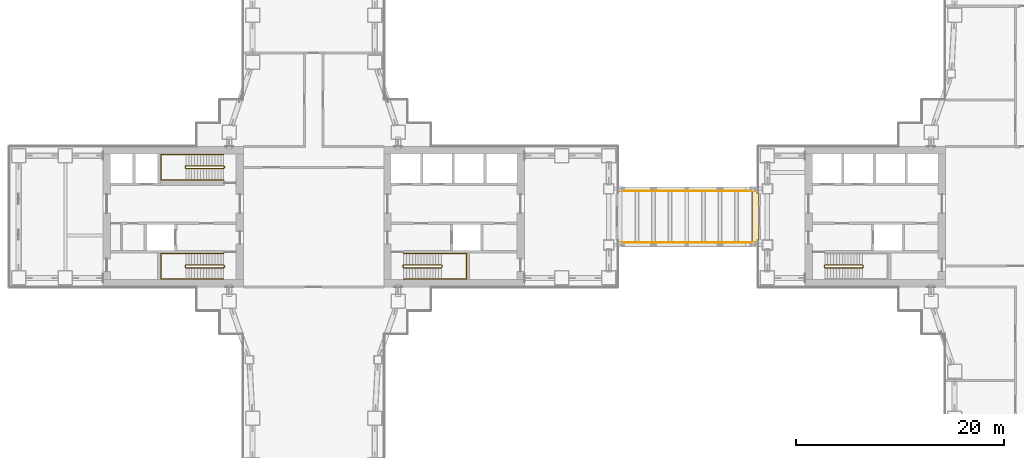
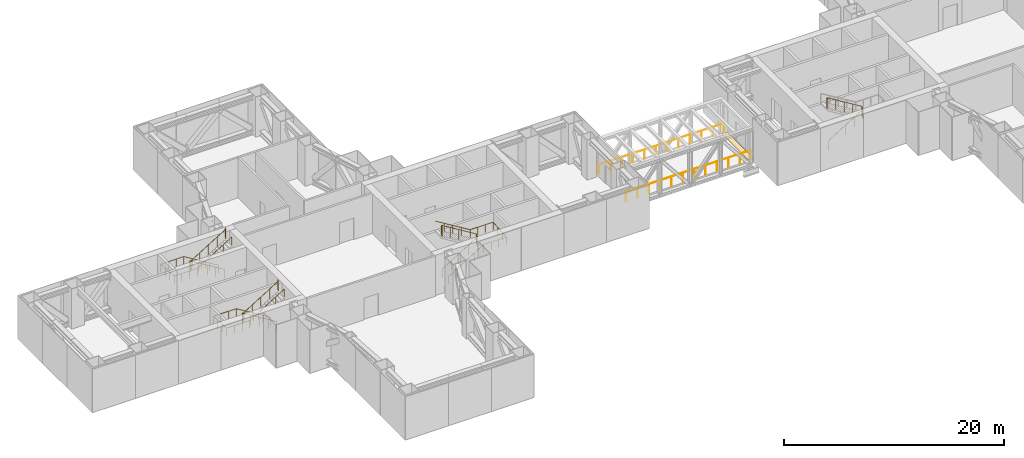
# One storey, part 22 of 23: 9 railings, 1 covering.
"""IFC4 building model written with IfcOpenShell, lengths in metres."""

from ifc_helpers import new_model, si_unit, direction, frame, origin, origin_2d, place, context, subcontext, project, spatial, polyline, circle, outline, extrude, material, layer, layer_set, type_object, element, save


model = new_model("IFC4")

# Units and contexts
model_context = context("Model", 3, precision=1e-05, world=origin(), true_north=direction((0.0, 1.0)))
body_context = subcontext(model_context, "Body", "Model", "MODEL_VIEW")
ifc_project = project(units=[si_unit("LENGTHUNIT", "METRE"), si_unit("AREAUNIT", "SQUARE_METRE"), si_unit("VOLUMEUNIT", "CUBIC_METRE"), si_unit("PLANEANGLEUNIT", "RADIAN"), si_unit("MASSUNIT", "GRAM", prefix="KILO")], contexts=[model_context])

# Site, building, storey
site_placement = place(None, origin())
site = spatial("IfcSite", under=ifc_project, at=site_placement, CompositionType="ELEMENT")
building_placement = place(site_placement, origin())
building = spatial("IfcBuilding", under=site, at=building_placement, Name="Shamsa Quay Exchange Towers", CompositionType="ELEMENT")
storey_placement = place(building_placement, frame((0.0, 0.0, 77.10009765625)))
storey = spatial("IfcBuildingStorey", under=building, at=storey_placement, Name="L17", CompositionType="ELEMENT", Elevation=77.10009765625)

# Railings
ifc_material_1 = material(Name="Steel S355", Category="steel")
railing_type_1 = type_object("IfcRailingType", Name="SKYBRIDGE GUARD 1100", PredefinedType="GUARDRAIL", material=ifc_material_1)
for number, where, name in (
    (1, (-4.449951171875, -2.463623046875, 0.0), "Skybridge guard BR1 S"),
    (2, (-4.449951171875, 2.463623046875, 0.0), "Skybridge guard BR1 N"),
):
    element("IfcRailing", number, at=place(storey_placement, frame(where)), inside=storey, type_object=railing_type_1, Name=name, PredefinedType="GUARDRAIL", context=body_context, shape_type="SweptSolid", body=[
        extrude(circle(Radius=0.02392578125, at=origin_2d()), frame((0.0, 0.0, 1.076171875), z_axis=(1.0, 0.0, 0.0), x_axis=(0.0, 1.0, 0.0)), (0.0, 0.0, 1.0), 13.14990234375),
        extrude(circle(Radius=0.02099609375, at=origin_2d()), origin(), (0.0, 0.0, 1.0), 1.052001953125),
        extrude(circle(Radius=0.02099609375, at=origin_2d()), frame((1.195556640625, 0.0, 0.0)), (0.0, 0.0, 1.0), 1.052001953125),
        extrude(circle(Radius=0.02099609375, at=origin_2d()), frame((2.390869140625, 0.0, 0.0)), (0.0, 0.0, 1.0), 1.052001953125),
        extrude(circle(Radius=0.02099609375, at=origin_2d()), frame((3.58642578125, 0.0, 0.0)), (0.0, 0.0, 1.0), 1.052001953125),
        extrude(circle(Radius=0.02099609375, at=origin_2d()), frame((4.78173828125, 0.0, 0.0)), (0.0, 0.0, 1.0), 1.052001953125),
        extrude(circle(Radius=0.02099609375, at=origin_2d()), frame((5.977294921875, 0.0, 0.0)), (0.0, 0.0, 1.0), 1.052001953125),
        extrude(circle(Radius=0.02099609375, at=origin_2d()), frame((7.172607421875, 0.0, 0.0)), (0.0, 0.0, 1.0), 1.052001953125),
        extrude(circle(Radius=0.02099609375, at=origin_2d()), frame((8.3681640625, 0.0, 0.0)), (0.0, 0.0, 1.0), 1.052001953125),
        extrude(circle(Radius=0.02099609375, at=origin_2d()), frame((9.5634765625, 0.0, 0.0)), (0.0, 0.0, 1.0), 1.052001953125),
        extrude(circle(Radius=0.02099609375, at=origin_2d()), frame((10.759033203125, 0.0, 0.0)), (0.0, 0.0, 1.0), 1.052001953125),
        extrude(circle(Radius=0.02099609375, at=origin_2d()), frame((11.954345703125, 0.0, 0.0)), (0.0, 0.0, 1.0), 1.052001953125),
        extrude(circle(Radius=0.02099609375, at=origin_2d()), frame((13.14990234375, 0.0, 0.0)), (0.0, 0.0, 1.0), 1.052001953125),
    ])
ifc_material_2 = material(Name="Stainless steel", Category="steel")
railing_type_2 = type_object("IfcRailingType", Name="STAIR GUARD 1100", PredefinedType="GUARDRAIL", material=ifc_material_2)
railing_1_placement = place(storey_placement, frame((-25.10009765625, -4.89990234375, 0.17138671875)))
element("IfcRailing", 3, at=railing_1_placement, inside=storey, type_object=railing_type_2, Name="L17 ST1 stair guard 1", PredefinedType="GUARDRAIL", context=body_context, shape_type="SweptSolid", body=[
    extrude(circle(Radius=0.02392578125, at=origin_2d()), frame((0.0, 0.0, 1.076171875), z_axis=(0.852865859571, 0.0, 0.52213008492), x_axis=(0.0, 1.0, 0.0)), (0.0, 0.0, 1.0), 4.26806640625),
    extrude(circle(Radius=0.02392578125, at=origin_2d()), frame((3.64013671875, 0.0, 3.3046875), z_axis=(0.708833529934, 0.705375805398, 0.0), x_axis=(-0.705375805398, 0.708833529934, 0.0)), (0.0, 0.0, 1.0), 0.070556640625),
    extrude(circle(Radius=0.02392578125, at=origin_2d()), frame((3.690185546875, 0.0498046875, 3.3046875), z_axis=(0.0, 1.0, 0.0), x_axis=(-1.0, 0.0, 0.0)), (0.0, 0.0, 1.0), 0.150146484375),
    extrude(circle(Radius=0.02392578125, at=origin_2d()), frame((3.690185546875, 0.199951171875, 3.3046875), z_axis=(-0.269911200495, 0.269911200495, 0.924281281696), x_axis=(-0.707106781187, -0.707106781187, 0.0)), (0.0, 0.0, 1.0), 0.185546875),
    extrude(circle(Radius=0.02392578125, at=origin_2d()), frame((3.64013671875, 0.25, 3.47607421875), z_axis=(-0.852865859571, 0.0, 0.52213008492), x_axis=(0.0, -1.0, 0.0)), (0.0, 0.0, 1.0), 4.26806640625),
    extrude(circle(Radius=0.02392578125, at=origin_2d()), frame((0.0, 0.25, 5.70458984375), z_axis=(-0.24142163986, -0.970420317083, 0.0), x_axis=(0.970420317083, -0.24142163986, 0.0)), (0.0, 0.0, 1.0), 0.206298828125),
    extrude(circle(Radius=0.02392578125, at=origin_2d()), frame((-0.0498046875, 0.0498046875, 5.70458984375), z_axis=(0.0, 1.0, 0.0), x_axis=(-1.0, 0.0, 0.0)), (0.0, 0.0, 1.0), 0.150146484375),
    extrude(circle(Radius=0.02099609375, at=origin_2d()), origin(), (0.0, 0.0, 1.0), 1.052001953125),
    extrude(circle(Radius=0.02099609375, at=origin_2d()), frame((0.91015625, 0.0, 0.55712890625)), (0.0, 0.0, 1.0), 1.052001953125),
    extrude(circle(Radius=0.02099609375, at=origin_2d()), frame((1.820068359375, 0.0, 1.1142578125)), (0.0, 0.0, 1.0), 1.052001953125),
    extrude(circle(Radius=0.02099609375, at=origin_2d()), frame((2.72998046875, 0.0, 1.67138671875)), (0.0, 0.0, 1.0), 1.052001953125),
    extrude(circle(Radius=0.02099609375, at=origin_2d()), frame((3.64013671875, 0.0, 2.228515625)), (0.0, 0.0, 1.0), 1.052001953125),
    extrude(circle(Radius=0.02099609375, at=origin_2d()), frame((3.690185546875, 0.0498046875, 2.228515625)), (0.0, 0.0, 1.0), 1.052001953125),
    extrude(circle(Radius=0.02099609375, at=origin_2d()), frame((3.690185546875, 0.199951171875, 2.228515625)), (0.0, 0.0, 1.0), 1.052001953125),
    extrude(circle(Radius=0.02099609375, at=origin_2d()), frame((3.64013671875, 0.25, 2.39990234375)), (0.0, 0.0, 1.0), 1.052001953125),
    extrude(circle(Radius=0.02099609375, at=origin_2d()), frame((2.72998046875, 0.25, 2.95703125)), (0.0, 0.0, 1.0), 1.052001953125),
    extrude(circle(Radius=0.02099609375, at=origin_2d()), frame((1.820068359375, 0.25, 3.51416015625)), (0.0, 0.0, 1.0), 1.052001953125),
    extrude(circle(Radius=0.02099609375, at=origin_2d()), frame((0.91015625, 0.25, 4.0712890625)), (0.0, 0.0, 1.0), 1.052001953125),
    extrude(circle(Radius=0.02099609375, at=origin_2d()), frame((0.0, 0.25, 4.62841796875)), (0.0, 0.0, 1.0), 1.052001953125),
    extrude(circle(Radius=0.02099609375, at=origin_2d()), frame((-0.0498046875, 0.0498046875, 4.62841796875)), (0.0, 0.0, 1.0), 1.052001953125),
    extrude(circle(Radius=0.02099609375, at=origin_2d()), frame((-0.0498046875, 0.199951171875, 4.62841796875)), (0.0, 0.0, 1.0), 1.052001953125),
])
railing_2_placement = place(storey_placement, frame((-42.39990234375, -4.64990234375, 0.17138671875)))
element("IfcRailing", 4, at=railing_2_placement, inside=storey, type_object=railing_type_2, Name="L17 ST2 stair guard 1", PredefinedType="GUARDRAIL", context=body_context, shape_type="SweptSolid", body=[
    extrude(circle(Radius=0.02392578125, at=origin_2d()), frame((0.0, 0.0, 1.076171875), z_axis=(-0.852865859571, 0.0, 0.52213008492), x_axis=(0.0, -1.0, 0.0)), (0.0, 0.0, 1.0), 4.26806640625),
    extrude(circle(Radius=0.02392578125, at=origin_2d()), frame((-3.64013671875, 0.0, 3.3046875), z_axis=(-0.707106781187, -0.707106781187, 0.0), x_axis=(0.707106781187, -0.707106781187, 0.0)), (0.0, 0.0, 1.0), 0.07080078125),
    extrude(circle(Radius=0.02392578125, at=origin_2d()), frame((-3.690185546875, -0.050048828125, 3.3046875), z_axis=(0.0, -1.0, 0.0), x_axis=(1.0, 0.0, 0.0)), (0.0, 0.0, 1.0), 0.150146484375),
    extrude(circle(Radius=0.02392578125, at=origin_2d()), frame((-3.690185546875, -0.2001953125, 3.3046875), z_axis=(0.270006937388, -0.268689830376, 0.924609122178), x_axis=(0.705375805398, 0.708833529934, 0.0)), (0.0, 0.0, 1.0), 0.185302734375),
    extrude(circle(Radius=0.02392578125, at=origin_2d()), frame((-3.64013671875, -0.25, 3.47607421875), z_axis=(0.852865859571, 0.0, 0.52213008492), x_axis=(0.0, 1.0, 0.0)), (0.0, 0.0, 1.0), 4.26806640625),
    extrude(circle(Radius=0.02392578125, at=origin_2d()), frame((0.0, -0.25, 5.70458984375), z_axis=(0.241699205484, 0.970351222016, 0.0), x_axis=(-0.970351222016, 0.241699205484, 0.0)), (0.0, 0.0, 1.0), 0.2060546875),
    extrude(circle(Radius=0.02392578125, at=origin_2d()), frame((0.0498046875, -0.050048828125, 5.70458984375), z_axis=(0.0, -1.0, 0.0), x_axis=(1.0, 0.0, 0.0)), (0.0, 0.0, 1.0), 0.150146484375),
    extrude(circle(Radius=0.02099609375, at=origin_2d()), origin(), (0.0, 0.0, 1.0), 1.052001953125),
    extrude(circle(Radius=0.02099609375, at=origin_2d()), frame((-0.91015625, 0.0, 0.55712890625)), (0.0, 0.0, 1.0), 1.052001953125),
    extrude(circle(Radius=0.02099609375, at=origin_2d()), frame((-1.820068359375, 0.0, 1.1142578125)), (0.0, 0.0, 1.0), 1.052001953125),
    extrude(circle(Radius=0.02099609375, at=origin_2d()), frame((-2.72998046875, 0.0, 1.67138671875)), (0.0, 0.0, 1.0), 1.052001953125),
    extrude(circle(Radius=0.02099609375, at=origin_2d()), frame((-3.64013671875, 0.0, 2.228515625)), (0.0, 0.0, 1.0), 1.052001953125),
    extrude(circle(Radius=0.02099609375, at=origin_2d()), frame((-3.690185546875, -0.050048828125, 2.228515625)), (0.0, 0.0, 1.0), 1.052001953125),
    extrude(circle(Radius=0.02099609375, at=origin_2d()), frame((-3.690185546875, -0.2001953125, 2.228515625)), (0.0, 0.0, 1.0), 1.052001953125),
    extrude(circle(Radius=0.02099609375, at=origin_2d()), frame((-3.64013671875, -0.25, 2.39990234375)), (0.0, 0.0, 1.0), 1.052001953125),
    extrude(circle(Radius=0.02099609375, at=origin_2d()), frame((-2.72998046875, -0.25, 2.95703125)), (0.0, 0.0, 1.0), 1.052001953125),
    extrude(circle(Radius=0.02099609375, at=origin_2d()), frame((-1.820068359375, -0.25, 3.51416015625)), (0.0, 0.0, 1.0), 1.052001953125),
    extrude(circle(Radius=0.02099609375, at=origin_2d()), frame((-0.91015625, -0.25, 4.0712890625)), (0.0, 0.0, 1.0), 1.052001953125),
    extrude(circle(Radius=0.02099609375, at=origin_2d()), frame((0.0, -0.25, 4.62841796875)), (0.0, 0.0, 1.0), 1.052001953125),
    extrude(circle(Radius=0.02099609375, at=origin_2d()), frame((0.0498046875, -0.050048828125, 4.62841796875)), (0.0, 0.0, 1.0), 1.052001953125),
    extrude(circle(Radius=0.02099609375, at=origin_2d()), frame((0.0498046875, -0.2001953125, 4.62841796875)), (0.0, 0.0, 1.0), 1.052001953125),
])
railing_3_placement = place(storey_placement, frame((-42.39990234375, 4.89990234375, 0.17138671875)))
element("IfcRailing", 5, at=railing_3_placement, inside=storey, type_object=railing_type_2, Name="L17 ST3 stair guard 1", PredefinedType="GUARDRAIL", context=body_context, shape_type="SweptSolid", body=[
    extrude(circle(Radius=0.02392578125, at=origin_2d()), frame((0.0, 0.0, 1.076171875), z_axis=(-0.852865859571, 0.0, 0.52213008492), x_axis=(0.0, -1.0, 0.0)), (0.0, 0.0, 1.0), 4.26806640625),
    extrude(circle(Radius=0.02392578125, at=origin_2d()), frame((-3.64013671875, 0.0, 3.3046875), z_axis=(-0.708833529934, -0.705375805398, 0.0), x_axis=(0.705375805398, -0.708833529934, 0.0)), (0.0, 0.0, 1.0), 0.070556640625),
    extrude(circle(Radius=0.02392578125, at=origin_2d()), frame((-3.690185546875, -0.0498046875, 3.3046875), z_axis=(0.0, -1.0, 0.0), x_axis=(1.0, 0.0, 0.0)), (0.0, 0.0, 1.0), 0.150146484375),
    extrude(circle(Radius=0.02392578125, at=origin_2d()), frame((-3.690185546875, -0.199951171875, 3.3046875), z_axis=(0.269911200495, -0.269911200495, 0.924281281696), x_axis=(0.707106781187, 0.707106781187, 0.0)), (0.0, 0.0, 1.0), 0.185546875),
    extrude(circle(Radius=0.02392578125, at=origin_2d()), frame((-3.64013671875, -0.25, 3.47607421875), z_axis=(0.852865859571, 0.0, 0.52213008492), x_axis=(0.0, 1.0, 0.0)), (0.0, 0.0, 1.0), 4.26806640625),
    extrude(circle(Radius=0.02392578125, at=origin_2d()), frame((0.0, -0.25, 5.70458984375), z_axis=(0.24142163986, 0.970420317083, 0.0), x_axis=(-0.970420317083, 0.24142163986, 0.0)), (0.0, 0.0, 1.0), 0.206298828125),
    extrude(circle(Radius=0.02392578125, at=origin_2d()), frame((0.0498046875, -0.0498046875, 5.70458984375), z_axis=(0.0, -1.0, 0.0), x_axis=(1.0, 0.0, 0.0)), (0.0, 0.0, 1.0), 0.150146484375),
    extrude(circle(Radius=0.02099609375, at=origin_2d()), origin(), (0.0, 0.0, 1.0), 1.052001953125),
    extrude(circle(Radius=0.02099609375, at=origin_2d()), frame((-0.91015625, 0.0, 0.55712890625)), (0.0, 0.0, 1.0), 1.052001953125),
    extrude(circle(Radius=0.02099609375, at=origin_2d()), frame((-1.820068359375, 0.0, 1.1142578125)), (0.0, 0.0, 1.0), 1.052001953125),
    extrude(circle(Radius=0.02099609375, at=origin_2d()), frame((-2.72998046875, 0.0, 1.67138671875)), (0.0, 0.0, 1.0), 1.052001953125),
    extrude(circle(Radius=0.02099609375, at=origin_2d()), frame((-3.64013671875, 0.0, 2.228515625)), (0.0, 0.0, 1.0), 1.052001953125),
    extrude(circle(Radius=0.02099609375, at=origin_2d()), frame((-3.690185546875, -0.0498046875, 2.228515625)), (0.0, 0.0, 1.0), 1.052001953125),
    extrude(circle(Radius=0.02099609375, at=origin_2d()), frame((-3.690185546875, -0.199951171875, 2.228515625)), (0.0, 0.0, 1.0), 1.052001953125),
    extrude(circle(Radius=0.02099609375, at=origin_2d()), frame((-3.64013671875, -0.25, 2.39990234375)), (0.0, 0.0, 1.0), 1.052001953125),
    extrude(circle(Radius=0.02099609375, at=origin_2d()), frame((-2.72998046875, -0.25, 2.95703125)), (0.0, 0.0, 1.0), 1.052001953125),
    extrude(circle(Radius=0.02099609375, at=origin_2d()), frame((-1.820068359375, -0.25, 3.51416015625)), (0.0, 0.0, 1.0), 1.052001953125),
    extrude(circle(Radius=0.02099609375, at=origin_2d()), frame((-0.91015625, -0.25, 4.0712890625)), (0.0, 0.0, 1.0), 1.052001953125),
    extrude(circle(Radius=0.02099609375, at=origin_2d()), frame((0.0, -0.25, 4.62841796875)), (0.0, 0.0, 1.0), 1.052001953125),
    extrude(circle(Radius=0.02099609375, at=origin_2d()), frame((0.0498046875, -0.0498046875, 4.62841796875)), (0.0, 0.0, 1.0), 1.052001953125),
    extrude(circle(Radius=0.02099609375, at=origin_2d()), frame((0.0498046875, -0.199951171875, 4.62841796875)), (0.0, 0.0, 1.0), 1.052001953125),
])
railing_4_placement = place(storey_placement, frame((15.39990234375, -4.89990234375, 0.17138671875)))
element("IfcRailing", 6, at=railing_4_placement, inside=storey, type_object=railing_type_2, Name="L17 ST4 stair guard 1", PredefinedType="GUARDRAIL", context=body_context, shape_type="SweptSolid", body=[
    extrude(circle(Radius=0.02392578125, at=origin_2d()), frame((0.0, 0.0, 1.076171875), z_axis=(0.852865859571, 0.0, 0.52213008492), x_axis=(0.0, 1.0, 0.0)), (0.0, 0.0, 1.0), 4.26806640625),
    extrude(circle(Radius=0.02392578125, at=origin_2d()), frame((3.64013671875, 0.0, 3.3046875), z_axis=(0.708833529934, 0.705375805398, 0.0), x_axis=(-0.705375805398, 0.708833529934, 0.0)), (0.0, 0.0, 1.0), 0.070556640625),
    extrude(circle(Radius=0.02392578125, at=origin_2d()), frame((3.690185546875, 0.0498046875, 3.3046875), z_axis=(0.0, 1.0, 0.0), x_axis=(-1.0, 0.0, 0.0)), (0.0, 0.0, 1.0), 0.150146484375),
    extrude(circle(Radius=0.02392578125, at=origin_2d()), frame((3.690185546875, 0.199951171875, 3.3046875), z_axis=(-0.269911200495, 0.269911200495, 0.924281281696), x_axis=(-0.707106781187, -0.707106781187, 0.0)), (0.0, 0.0, 1.0), 0.185546875),
    extrude(circle(Radius=0.02392578125, at=origin_2d()), frame((3.64013671875, 0.25, 3.47607421875), z_axis=(-0.852865859571, 0.0, 0.52213008492), x_axis=(0.0, -1.0, 0.0)), (0.0, 0.0, 1.0), 4.26806640625),
    extrude(circle(Radius=0.02392578125, at=origin_2d()), frame((0.0, 0.25, 5.70458984375), z_axis=(-0.24142163986, -0.970420317083, 0.0), x_axis=(0.970420317083, -0.24142163986, 0.0)), (0.0, 0.0, 1.0), 0.206298828125),
    extrude(circle(Radius=0.02392578125, at=origin_2d()), frame((-0.0498046875, 0.0498046875, 5.70458984375), z_axis=(0.0, 1.0, 0.0), x_axis=(-1.0, 0.0, 0.0)), (0.0, 0.0, 1.0), 0.150146484375),
    extrude(circle(Radius=0.02099609375, at=origin_2d()), origin(), (0.0, 0.0, 1.0), 1.052001953125),
    extrude(circle(Radius=0.02099609375, at=origin_2d()), frame((0.91015625, 0.0, 0.55712890625)), (0.0, 0.0, 1.0), 1.052001953125),
    extrude(circle(Radius=0.02099609375, at=origin_2d()), frame((1.820068359375, 0.0, 1.1142578125)), (0.0, 0.0, 1.0), 1.052001953125),
    extrude(circle(Radius=0.02099609375, at=origin_2d()), frame((2.72998046875, 0.0, 1.67138671875)), (0.0, 0.0, 1.0), 1.052001953125),
    extrude(circle(Radius=0.02099609375, at=origin_2d()), frame((3.64013671875, 0.0, 2.228515625)), (0.0, 0.0, 1.0), 1.052001953125),
    extrude(circle(Radius=0.02099609375, at=origin_2d()), frame((3.690185546875, 0.0498046875, 2.228515625)), (0.0, 0.0, 1.0), 1.052001953125),
    extrude(circle(Radius=0.02099609375, at=origin_2d()), frame((3.690185546875, 0.199951171875, 2.228515625)), (0.0, 0.0, 1.0), 1.052001953125),
    extrude(circle(Radius=0.02099609375, at=origin_2d()), frame((3.64013671875, 0.25, 2.39990234375)), (0.0, 0.0, 1.0), 1.052001953125),
    extrude(circle(Radius=0.02099609375, at=origin_2d()), frame((2.72998046875, 0.25, 2.95703125)), (0.0, 0.0, 1.0), 1.052001953125),
    extrude(circle(Radius=0.02099609375, at=origin_2d()), frame((1.820068359375, 0.25, 3.51416015625)), (0.0, 0.0, 1.0), 1.052001953125),
    extrude(circle(Radius=0.02099609375, at=origin_2d()), frame((0.91015625, 0.25, 4.0712890625)), (0.0, 0.0, 1.0), 1.052001953125),
    extrude(circle(Radius=0.02099609375, at=origin_2d()), frame((0.0, 0.25, 4.62841796875)), (0.0, 0.0, 1.0), 1.052001953125),
    extrude(circle(Radius=0.02099609375, at=origin_2d()), frame((-0.0498046875, 0.0498046875, 4.62841796875)), (0.0, 0.0, 1.0), 1.052001953125),
    extrude(circle(Radius=0.02099609375, at=origin_2d()), frame((-0.0498046875, 0.199951171875, 4.62841796875)), (0.0, 0.0, 1.0), 1.052001953125),
])
railing_type_3 = type_object("IfcRailingType", Name="STAIR HANDRAIL 900", PredefinedType="HANDRAIL", material=ifc_material_2)
railing_5_placement = place(storey_placement, frame((-25.10009765625, -6.0, 0.17138671875)))
element("IfcRailing", 7, at=railing_5_placement, inside=storey, type_object=railing_type_3, Name="L17 ST1 stair handrail 1", PredefinedType="HANDRAIL", context=body_context, shape_type="SweptSolid", body=[
    extrude(circle(Radius=0.02392578125, at=origin_2d()), frame((0.0, 0.0, 0.8759765625), z_axis=(0.852865859571, 0.0, 0.52213008492), x_axis=(0.0, 1.0, 0.0)), (0.0, 0.0, 1.0), 4.26806640625),
    extrude(circle(Radius=0.02392578125, at=origin_2d()), frame((3.64013671875, 0.0, 3.1044921875), z_axis=(1.0, 0.0, 0.0), x_axis=(0.0, 1.0, 0.0)), (0.0, 0.0, 1.0), 2.409912109375),
    extrude(circle(Radius=0.02392578125, at=origin_2d()), frame((6.050048828125, 0.0, 3.1044921875), z_axis=(0.0, 0.99756208224, 0.069784612031), x_axis=(-1.0, 0.0, 0.0)), (0.0, 0.0, 1.0), 2.4560546875),
    extrude(circle(Radius=0.02392578125, at=origin_2d()), frame((6.050048828125, 2.449951171875, 3.27587890625), z_axis=(-1.0, 0.0, 0.0), x_axis=(0.0, -1.0, 0.0)), (0.0, 0.0, 1.0), 2.409912109375),
    extrude(circle(Radius=0.02392578125, at=origin_2d()), frame((3.64013671875, 2.449951171875, 3.27587890625), z_axis=(-0.852865859571, 0.0, 0.52213008492), x_axis=(0.0, -1.0, 0.0)), (0.0, 0.0, 1.0), 4.26806640625),
    extrude(circle(Radius=0.02099609375, at=origin_2d()), origin(), (0.0, 0.0, 1.0), 0.851806640625),
    extrude(circle(Radius=0.02099609375, at=origin_2d()), frame((0.91015625, 0.0, 0.55712890625)), (0.0, 0.0, 1.0), 0.851806640625),
    extrude(circle(Radius=0.02099609375, at=origin_2d()), frame((1.820068359375, 0.0, 1.1142578125)), (0.0, 0.0, 1.0), 0.851806640625),
    extrude(circle(Radius=0.02099609375, at=origin_2d()), frame((2.72998046875, 0.0, 1.67138671875)), (0.0, 0.0, 1.0), 0.851806640625),
    extrude(circle(Radius=0.02099609375, at=origin_2d()), frame((3.64013671875, 0.0, 2.228515625)), (0.0, 0.0, 1.0), 0.851806640625),
    extrude(circle(Radius=0.02099609375, at=origin_2d()), frame((4.443359375, 0.0, 2.228515625)), (0.0, 0.0, 1.0), 0.851806640625),
    extrude(circle(Radius=0.02099609375, at=origin_2d()), frame((5.246826171875, 0.0, 2.228515625)), (0.0, 0.0, 1.0), 0.851806640625),
    extrude(circle(Radius=0.02099609375, at=origin_2d()), frame((6.050048828125, 0.0, 2.228515625)), (0.0, 0.0, 1.0), 0.851806640625),
    extrude(circle(Radius=0.02099609375, at=origin_2d()), frame((6.050048828125, 0.816650390625, 2.28564453125)), (0.0, 0.0, 1.0), 0.851806640625),
    extrude(circle(Radius=0.02099609375, at=origin_2d()), frame((6.050048828125, 1.63330078125, 2.3427734375)), (0.0, 0.0, 1.0), 0.851806640625),
    extrude(circle(Radius=0.02099609375, at=origin_2d()), frame((6.050048828125, 2.449951171875, 2.39990234375)), (0.0, 0.0, 1.0), 0.851806640625),
    extrude(circle(Radius=0.02099609375, at=origin_2d()), frame((5.246826171875, 2.449951171875, 2.39990234375)), (0.0, 0.0, 1.0), 0.851806640625),
    extrude(circle(Radius=0.02099609375, at=origin_2d()), frame((4.443359375, 2.449951171875, 2.39990234375)), (0.0, 0.0, 1.0), 0.851806640625),
    extrude(circle(Radius=0.02099609375, at=origin_2d()), frame((3.64013671875, 2.449951171875, 2.39990234375)), (0.0, 0.0, 1.0), 0.851806640625),
    extrude(circle(Radius=0.02099609375, at=origin_2d()), frame((2.72998046875, 2.449951171875, 2.95703125)), (0.0, 0.0, 1.0), 0.851806640625),
    extrude(circle(Radius=0.02099609375, at=origin_2d()), frame((1.820068359375, 2.449951171875, 3.51416015625)), (0.0, 0.0, 1.0), 0.851806640625),
    extrude(circle(Radius=0.02099609375, at=origin_2d()), frame((0.91015625, 2.449951171875, 4.0712890625)), (0.0, 0.0, 1.0), 0.851806640625),
    extrude(circle(Radius=0.02099609375, at=origin_2d()), frame((0.0, 2.449951171875, 4.62841796875)), (0.0, 0.0, 1.0), 0.851806640625),
])
railing_6_placement = place(storey_placement, frame((-42.39990234375, -3.550048828125, 0.17138671875)))
element("IfcRailing", 8, at=railing_6_placement, inside=storey, type_object=railing_type_3, Name="L17 ST2 stair handrail 1", PredefinedType="HANDRAIL", context=body_context, shape_type="SweptSolid", body=[
    extrude(circle(Radius=0.02392578125, at=origin_2d()), frame((0.0, 0.0, 0.8759765625), z_axis=(-0.852865859571, 0.0, 0.52213008492), x_axis=(0.0, -1.0, 0.0)), (0.0, 0.0, 1.0), 4.26806640625),
    extrude(circle(Radius=0.02392578125, at=origin_2d()), frame((-3.64013671875, 0.0, 3.1044921875), z_axis=(-1.0, 0.0, 0.0), x_axis=(0.0, -1.0, 0.0)), (0.0, 0.0, 1.0), 2.409912109375),
    extrude(circle(Radius=0.02392578125, at=origin_2d()), frame((-6.050048828125, 0.0, 3.1044921875), z_axis=(0.0, -0.99756208224, 0.069784612031), x_axis=(1.0, 0.0, 0.0)), (0.0, 0.0, 1.0), 2.4560546875),
    extrude(circle(Radius=0.02392578125, at=origin_2d()), frame((-6.050048828125, -2.449951171875, 3.27587890625), z_axis=(1.0, 0.0, 0.0), x_axis=(0.0, 1.0, 0.0)), (0.0, 0.0, 1.0), 2.409912109375),
    extrude(circle(Radius=0.02392578125, at=origin_2d()), frame((-3.64013671875, -2.449951171875, 3.27587890625), z_axis=(0.852865859571, 0.0, 0.52213008492), x_axis=(0.0, 1.0, 0.0)), (0.0, 0.0, 1.0), 4.26806640625),
    extrude(circle(Radius=0.02099609375, at=origin_2d()), origin(), (0.0, 0.0, 1.0), 0.851806640625),
    extrude(circle(Radius=0.02099609375, at=origin_2d()), frame((-0.91015625, 0.0, 0.55712890625)), (0.0, 0.0, 1.0), 0.851806640625),
    extrude(circle(Radius=0.02099609375, at=origin_2d()), frame((-1.820068359375, 0.0, 1.1142578125)), (0.0, 0.0, 1.0), 0.851806640625),
    extrude(circle(Radius=0.02099609375, at=origin_2d()), frame((-2.72998046875, 0.0, 1.67138671875)), (0.0, 0.0, 1.0), 0.851806640625),
    extrude(circle(Radius=0.02099609375, at=origin_2d()), frame((-3.64013671875, 0.0, 2.228515625)), (0.0, 0.0, 1.0), 0.851806640625),
    extrude(circle(Radius=0.02099609375, at=origin_2d()), frame((-4.443359375, 0.0, 2.228515625)), (0.0, 0.0, 1.0), 0.851806640625),
    extrude(circle(Radius=0.02099609375, at=origin_2d()), frame((-5.246826171875, 0.0, 2.228515625)), (0.0, 0.0, 1.0), 0.851806640625),
    extrude(circle(Radius=0.02099609375, at=origin_2d()), frame((-6.050048828125, 0.0, 2.228515625)), (0.0, 0.0, 1.0), 0.851806640625),
    extrude(circle(Radius=0.02099609375, at=origin_2d()), frame((-6.050048828125, -0.816650390625, 2.28564453125)), (0.0, 0.0, 1.0), 0.851806640625),
    extrude(circle(Radius=0.02099609375, at=origin_2d()), frame((-6.050048828125, -1.63330078125, 2.3427734375)), (0.0, 0.0, 1.0), 0.851806640625),
    extrude(circle(Radius=0.02099609375, at=origin_2d()), frame((-6.050048828125, -2.449951171875, 2.39990234375)), (0.0, 0.0, 1.0), 0.851806640625),
    extrude(circle(Radius=0.02099609375, at=origin_2d()), frame((-5.246826171875, -2.449951171875, 2.39990234375)), (0.0, 0.0, 1.0), 0.851806640625),
    extrude(circle(Radius=0.02099609375, at=origin_2d()), frame((-4.443359375, -2.449951171875, 2.39990234375)), (0.0, 0.0, 1.0), 0.851806640625),
    extrude(circle(Radius=0.02099609375, at=origin_2d()), frame((-3.64013671875, -2.449951171875, 2.39990234375)), (0.0, 0.0, 1.0), 0.851806640625),
    extrude(circle(Radius=0.02099609375, at=origin_2d()), frame((-2.72998046875, -2.449951171875, 2.95703125)), (0.0, 0.0, 1.0), 0.851806640625),
    extrude(circle(Radius=0.02099609375, at=origin_2d()), frame((-1.820068359375, -2.449951171875, 3.51416015625)), (0.0, 0.0, 1.0), 0.851806640625),
    extrude(circle(Radius=0.02099609375, at=origin_2d()), frame((-0.91015625, -2.449951171875, 4.0712890625)), (0.0, 0.0, 1.0), 0.851806640625),
    extrude(circle(Radius=0.02099609375, at=origin_2d()), frame((0.0, -2.449951171875, 4.62841796875)), (0.0, 0.0, 1.0), 0.851806640625),
])
railing_7_placement = place(storey_placement, frame((-42.39990234375, 6.0, 0.17138671875)))
element("IfcRailing", 9, at=railing_7_placement, inside=storey, type_object=railing_type_3, Name="L17 ST3 stair handrail 1", PredefinedType="HANDRAIL", context=body_context, shape_type="SweptSolid", body=[
    extrude(circle(Radius=0.02392578125, at=origin_2d()), frame((0.0, 0.0, 0.8759765625), z_axis=(-0.852865859571, 0.0, 0.52213008492), x_axis=(0.0, -1.0, 0.0)), (0.0, 0.0, 1.0), 4.26806640625),
    extrude(circle(Radius=0.02392578125, at=origin_2d()), frame((-3.64013671875, 0.0, 3.1044921875), z_axis=(-1.0, 0.0, 0.0), x_axis=(0.0, -1.0, 0.0)), (0.0, 0.0, 1.0), 2.409912109375),
    extrude(circle(Radius=0.02392578125, at=origin_2d()), frame((-6.050048828125, 0.0, 3.1044921875), z_axis=(0.0, -0.99756208224, 0.069784612031), x_axis=(1.0, 0.0, 0.0)), (0.0, 0.0, 1.0), 2.4560546875),
    extrude(circle(Radius=0.02392578125, at=origin_2d()), frame((-6.050048828125, -2.449951171875, 3.27587890625), z_axis=(1.0, 0.0, 0.0), x_axis=(0.0, 1.0, 0.0)), (0.0, 0.0, 1.0), 2.409912109375),
    extrude(circle(Radius=0.02392578125, at=origin_2d()), frame((-3.64013671875, -2.449951171875, 3.27587890625), z_axis=(0.852865859571, 0.0, 0.52213008492), x_axis=(0.0, 1.0, 0.0)), (0.0, 0.0, 1.0), 4.26806640625),
    extrude(circle(Radius=0.02099609375, at=origin_2d()), origin(), (0.0, 0.0, 1.0), 0.851806640625),
    extrude(circle(Radius=0.02099609375, at=origin_2d()), frame((-0.91015625, 0.0, 0.55712890625)), (0.0, 0.0, 1.0), 0.851806640625),
    extrude(circle(Radius=0.02099609375, at=origin_2d()), frame((-1.820068359375, 0.0, 1.1142578125)), (0.0, 0.0, 1.0), 0.851806640625),
    extrude(circle(Radius=0.02099609375, at=origin_2d()), frame((-2.72998046875, 0.0, 1.67138671875)), (0.0, 0.0, 1.0), 0.851806640625),
    extrude(circle(Radius=0.02099609375, at=origin_2d()), frame((-3.64013671875, 0.0, 2.228515625)), (0.0, 0.0, 1.0), 0.851806640625),
    extrude(circle(Radius=0.02099609375, at=origin_2d()), frame((-4.443359375, 0.0, 2.228515625)), (0.0, 0.0, 1.0), 0.851806640625),
    extrude(circle(Radius=0.02099609375, at=origin_2d()), frame((-5.246826171875, 0.0, 2.228515625)), (0.0, 0.0, 1.0), 0.851806640625),
    extrude(circle(Radius=0.02099609375, at=origin_2d()), frame((-6.050048828125, 0.0, 2.228515625)), (0.0, 0.0, 1.0), 0.851806640625),
    extrude(circle(Radius=0.02099609375, at=origin_2d()), frame((-6.050048828125, -0.816650390625, 2.28564453125)), (0.0, 0.0, 1.0), 0.851806640625),
    extrude(circle(Radius=0.02099609375, at=origin_2d()), frame((-6.050048828125, -1.63330078125, 2.3427734375)), (0.0, 0.0, 1.0), 0.851806640625),
    extrude(circle(Radius=0.02099609375, at=origin_2d()), frame((-6.050048828125, -2.449951171875, 2.39990234375)), (0.0, 0.0, 1.0), 0.851806640625),
    extrude(circle(Radius=0.02099609375, at=origin_2d()), frame((-5.246826171875, -2.449951171875, 2.39990234375)), (0.0, 0.0, 1.0), 0.851806640625),
    extrude(circle(Radius=0.02099609375, at=origin_2d()), frame((-4.443359375, -2.449951171875, 2.39990234375)), (0.0, 0.0, 1.0), 0.851806640625),
    extrude(circle(Radius=0.02099609375, at=origin_2d()), frame((-3.64013671875, -2.449951171875, 2.39990234375)), (0.0, 0.0, 1.0), 0.851806640625),
    extrude(circle(Radius=0.02099609375, at=origin_2d()), frame((-2.72998046875, -2.449951171875, 2.95703125)), (0.0, 0.0, 1.0), 0.851806640625),
    extrude(circle(Radius=0.02099609375, at=origin_2d()), frame((-1.820068359375, -2.449951171875, 3.51416015625)), (0.0, 0.0, 1.0), 0.851806640625),
    extrude(circle(Radius=0.02099609375, at=origin_2d()), frame((-0.91015625, -2.449951171875, 4.0712890625)), (0.0, 0.0, 1.0), 0.851806640625),
    extrude(circle(Radius=0.02099609375, at=origin_2d()), frame((0.0, -2.449951171875, 4.62841796875)), (0.0, 0.0, 1.0), 0.851806640625),
])

# Covering
ifc_material_3 = material(Name="Steel S355 chequer plate", Category="steel")
ifc_layer = layer(ifc_material_3, 0.011962890625)
ifc_layer_set = layer_set([ifc_layer], Name="Skybridge joint cover plate 12")
covering_type = type_object("IfcCoveringType", Name="Skybridge joint cover plate 12", PredefinedType="FLOORING", material=ifc_layer_set)
covering_placement = place(storey_placement, origin())
element("IfcCovering", 10, at=covering_placement, inside=storey, type_object=covering_type, Name="Skybridge BR1 joint cover plate", PredefinedType="FLOORING", context=body_context, shape_type="SweptSolid", body=[
    extrude(outline(polyline([(8.449951171875, -2.40380859375), (9.0, -2.40380859375), (9.0, 2.40380859375), (8.449951171875, 2.40380859375), (8.449951171875, -2.40380859375)])), origin(), (0.0, 0.0, 1.0), 0.011962890625),
])

save(model, "model.ifc")
